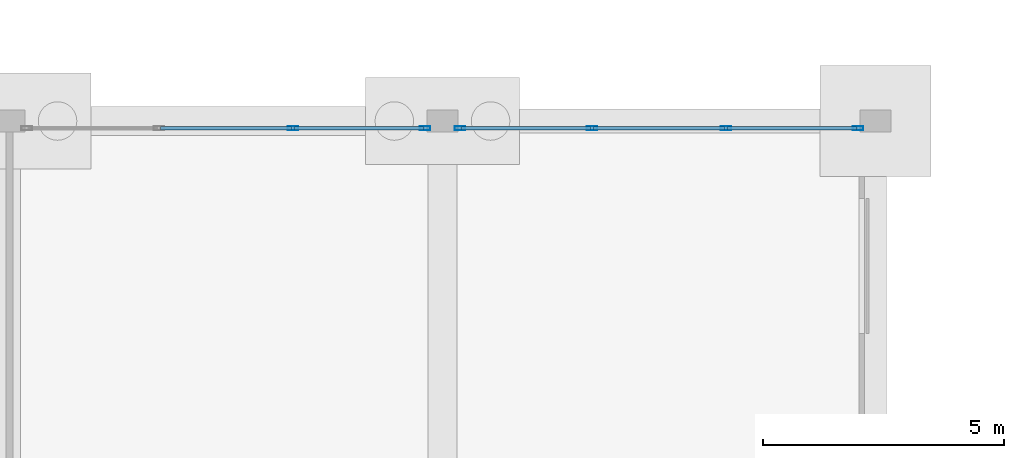
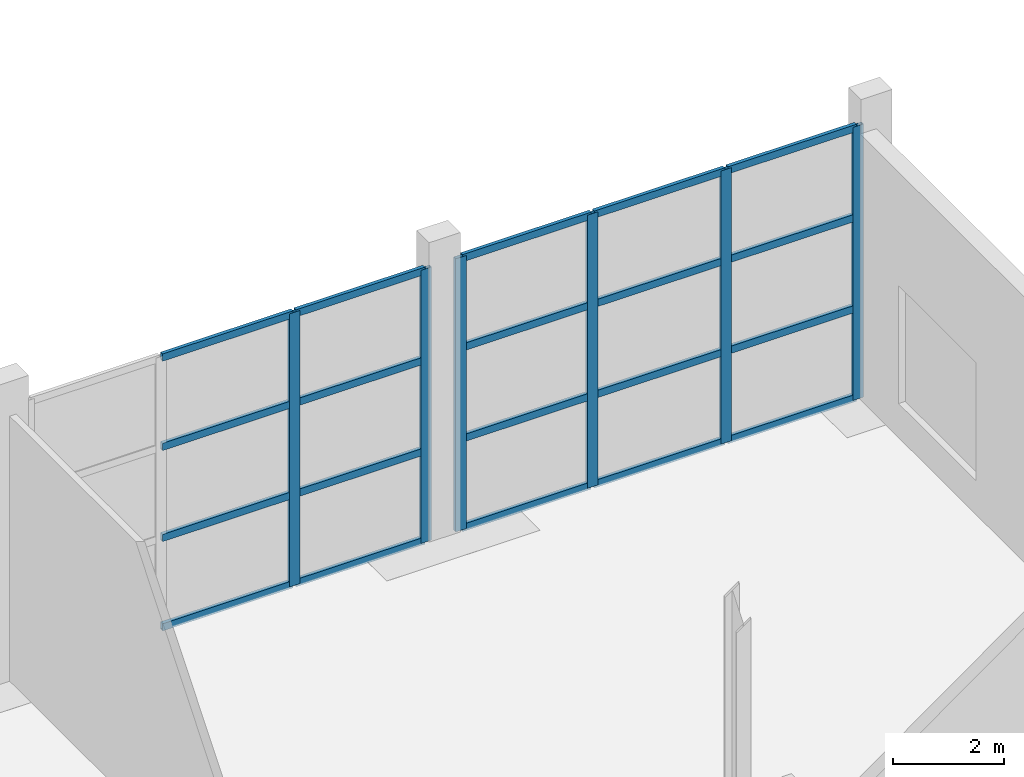
# One storey, part 57 of 115: 26 members, 2 elements without a shape of their own.
"""IFC4 building model written with IfcOpenShell, lengths in metres."""

from ifc_helpers import new_model, si_unit, direction, frame, origin, origin_2d, place, context, subcontext, project, spatial, hollow_rectangle, extrude, material, layer, layer_set, material_profile, profile_set, type_object, element, aggregate, save


model = new_model("IFC4")

# Units and contexts
model_context = context("Model", 3, precision=1e-05, world=origin(), true_north=direction((0.0, 1.0)))
body_context = subcontext(model_context, "Body", "Model", "MODEL_VIEW")
ifc_project = project(units=[si_unit("LENGTHUNIT", "METRE"), si_unit("AREAUNIT", "SQUARE_METRE"), si_unit("VOLUMEUNIT", "CUBIC_METRE"), si_unit("PLANEANGLEUNIT", "RADIAN"), si_unit("MASSUNIT", "GRAM", prefix="KILO")], contexts=[model_context])

# Site, building, storey
site_placement = place(None, origin())
site = spatial("IfcSite", under=ifc_project, at=site_placement, CompositionType="ELEMENT")
building_placement = place(site_placement, origin())
building = spatial("IfcBuilding", under=site, at=building_placement, Name="Tamarisk Ironworks Central Station", CompositionType="ELEMENT")
storey_placement = place(building_placement, origin())
storey = spatial("IfcBuildingStorey", under=building, at=storey_placement, Name="L00", CompositionType="ELEMENT", Elevation=0.0)

# Curtain wall, members
ifc_material = material(Name="Anodized aluminium alloy 6063-T6", Category="aluminium")
ifc_layer = layer(ifc_material, 0.179931640625)
ifc_layer_set = layer_set([ifc_layer], Name="Anodized aluminium alloy 6063-T6")
curtain_wall_type = type_object("IfcCurtainWallType", Name="CW-12", PredefinedType="USERDEFINED", material=ifc_layer_set)
curtain_wall_1_placement = place(storey_placement, origin())
curtain_wall_1 = element("IfcCurtainWall", 1, at=curtain_wall_1_placement, inside=storey, type_object=curtain_wall_type, Name="Pavilion L00 N glazed arcade 27", ObjectType="GLAZED CURTAIN WALL", PredefinedType="USERDEFINED")
ifc_material_profile_1 = material_profile(ifc_material, hollow_rectangle(XDim=0.074951171875, YDim=0.219970703125, WallThickness=0.00390625, at=origin_2d()), Name="ALUM 220x75")
ifc_profile_set_1 = profile_set([ifc_material_profile_1], Name="Anodized aluminium alloy 6063-T6")
member_type_1 = type_object("IfcMemberType", Name="CWM-01", PredefinedType="MULLION", material=ifc_profile_set_1)
member_1_placement = place(storey_placement, frame((32.892333984375, 122.25, 0.0), z_axis=(0.0, 0.0, 1.0), x_axis=(0.0, 1.0, 0.0)))
member_1 = element("IfcMember", 2, at=member_1_placement, type_object=member_type_1, Name="CW12 mullion 3", PredefinedType="MULLION", context=body_context, shape_type="SweptSolid", body=[
    extrude(hollow_rectangle(XDim=0.074951171875, YDim=0.219970703125, WallThickness=0.00390625, at=origin_2d()), origin(), (0.0, 0.0, 1.0), 6.02001953125),
])
member_2_placement = place(storey_placement, frame((35.639404296875, 122.25, 0.0), z_axis=(0.0, 0.0, 1.0), x_axis=(0.0, 1.0, 0.0)))
member_2 = element("IfcMember", 3, at=member_2_placement, type_object=member_type_1, Name="CW12 mullion 4", PredefinedType="MULLION", context=body_context, shape_type="SweptSolid", body=[
    extrude(hollow_rectangle(XDim=0.074951171875, YDim=0.219970703125, WallThickness=0.00390625, at=origin_2d()), origin(), (0.0, 0.0, 1.0), 6.02001953125),
])

curtain_wall_2_placement = place(storey_placement, origin())
curtain_wall_2 = element("IfcCurtainWall", 4, at=curtain_wall_2_placement, inside=storey, type_object=curtain_wall_type, Name="Pavilion L00 N glazed arcade 36", ObjectType="GLAZED CURTAIN WALL", PredefinedType="USERDEFINED")
member_3_placement = place(storey_placement, frame((36.360595703125, 122.25, 0.0), z_axis=(0.0, 0.0, 1.0), x_axis=(0.0, 1.0, 0.0)))
member_3 = element("IfcMember", 5, at=member_3_placement, type_object=member_type_1, Name="CW12 mullion 1", PredefinedType="MULLION", context=body_context, shape_type="SweptSolid", body=[
    extrude(hollow_rectangle(XDim=0.074951171875, YDim=0.219970703125, WallThickness=0.00390625, at=origin_2d()), origin(), (0.0, 0.0, 1.0), 6.02001953125),
])
member_4_placement = place(storey_placement, frame((39.107666015625, 122.25, 0.0), z_axis=(0.0, 0.0, 1.0), x_axis=(0.0, 1.0, 0.0)))
member_4 = element("IfcMember", 6, at=member_4_placement, type_object=member_type_1, Name="CW12 mullion 2", PredefinedType="MULLION", context=body_context, shape_type="SweptSolid", body=[
    extrude(hollow_rectangle(XDim=0.074951171875, YDim=0.219970703125, WallThickness=0.00390625, at=origin_2d()), origin(), (0.0, 0.0, 1.0), 6.02001953125),
])
member_5_placement = place(storey_placement, frame((41.892333984375, 122.25, 0.0), z_axis=(0.0, 0.0, 1.0), x_axis=(0.0, 1.0, 0.0)))
member_5 = element("IfcMember", 7, at=member_5_placement, type_object=member_type_1, Name="CW12 mullion 3", PredefinedType="MULLION", context=body_context, shape_type="SweptSolid", body=[
    extrude(hollow_rectangle(XDim=0.074951171875, YDim=0.219970703125, WallThickness=0.00390625, at=origin_2d()), origin(), (0.0, 0.0, 1.0), 6.02001953125),
])
member_6_placement = place(storey_placement, frame((44.639404296875, 122.25, 0.0), z_axis=(0.0, 0.0, 1.0), x_axis=(0.0, 1.0, 0.0)))
member_6 = element("IfcMember", 8, at=member_6_placement, type_object=member_type_1, Name="CW12 mullion 4", PredefinedType="MULLION", context=body_context, shape_type="SweptSolid", body=[
    extrude(hollow_rectangle(XDim=0.074951171875, YDim=0.219970703125, WallThickness=0.00390625, at=origin_2d()), origin(), (0.0, 0.0, 1.0), 6.02001953125),
])

# Member
ifc_material_profile_2 = material_profile(ifc_material, hollow_rectangle(XDim=0.074951171875, YDim=0.159912109375, WallThickness=0.00390625, at=origin_2d()), Name="ALUM 160x75")
ifc_profile_set_2 = profile_set([ifc_material_profile_2], Name="Anodized aluminium alloy 6063-T6")
member_type_2 = type_object("IfcMemberType", Name="CWT-01", PredefinedType="USERDEFINED", material=ifc_profile_set_2)
member_7_placement = place(storey_placement, frame((30.14111328125, 122.25, 0.03759765625), z_axis=(1.0, 0.0, 0.0), x_axis=(0.0, 1.0, 0.0)))
member_7 = element("IfcMember", 9, at=member_7_placement, type_object=member_type_2, Name="CW12 transom 2.1", ObjectType="TRANSOM", PredefinedType="USERDEFINED", context=body_context, shape_type="SweptSolid", body=[
    extrude(hollow_rectangle(XDim=0.074951171875, YDim=0.159912109375, WallThickness=0.00390625, at=origin_2d()), origin(), (0.0, 0.0, 1.0), 2.7177734375),
])

member_8_placement = place(storey_placement, frame((30.14111328125, 122.25, 2.006591796875), z_axis=(1.0, 0.0, 0.0), x_axis=(0.0, 1.0, 0.0)))
member_8 = element("IfcMember", 10, at=member_8_placement, type_object=member_type_2, Name="CW12 transom 2.2", ObjectType="TRANSOM", PredefinedType="USERDEFINED", context=body_context, shape_type="SweptSolid", body=[
    extrude(hollow_rectangle(XDim=0.074951171875, YDim=0.159912109375, WallThickness=0.00390625, at=origin_2d()), origin(), (0.0, 0.0, 1.0), 2.7177734375),
])

member_9_placement = place(storey_placement, frame((30.14111328125, 122.25, 4.01318359375), z_axis=(1.0, 0.0, 0.0), x_axis=(0.0, 1.0, 0.0)))
member_9 = element("IfcMember", 11, at=member_9_placement, type_object=member_type_2, Name="CW12 transom 2.3", ObjectType="TRANSOM", PredefinedType="USERDEFINED", context=body_context, shape_type="SweptSolid", body=[
    extrude(hollow_rectangle(XDim=0.074951171875, YDim=0.159912109375, WallThickness=0.00390625, at=origin_2d()), origin(), (0.0, 0.0, 1.0), 2.7177734375),
])

member_10_placement = place(storey_placement, frame((30.14111328125, 122.25, 5.982421875), z_axis=(1.0, 0.0, 0.0), x_axis=(0.0, 1.0, 0.0)))
member_10 = element("IfcMember", 12, at=member_10_placement, type_object=member_type_2, Name="CW12 transom 2.4", ObjectType="TRANSOM", PredefinedType="USERDEFINED", context=body_context, shape_type="SweptSolid", body=[
    extrude(hollow_rectangle(XDim=0.074951171875, YDim=0.159912109375, WallThickness=0.00390625, at=origin_2d()), origin(), (0.0, 0.0, 1.0), 2.7177734375),
])

member_11_placement = place(storey_placement, frame((32.92578125, 122.25, 0.03759765625), z_axis=(1.0, 0.0, 0.0), x_axis=(0.0, 1.0, 0.0)))
member_11 = element("IfcMember", 13, at=member_11_placement, type_object=member_type_2, Name="CW12 transom 3.1", ObjectType="TRANSOM", PredefinedType="USERDEFINED", context=body_context, shape_type="SweptSolid", body=[
    extrude(hollow_rectangle(XDim=0.074951171875, YDim=0.159912109375, WallThickness=0.00390625, at=origin_2d()), origin(), (0.0, 0.0, 1.0), 2.68017578125),
])

member_12_placement = place(storey_placement, frame((32.92578125, 122.25, 2.006591796875), z_axis=(1.0, 0.0, 0.0), x_axis=(0.0, 1.0, 0.0)))
member_12 = element("IfcMember", 14, at=member_12_placement, type_object=member_type_2, Name="CW12 transom 3.2", ObjectType="TRANSOM", PredefinedType="USERDEFINED", context=body_context, shape_type="SweptSolid", body=[
    extrude(hollow_rectangle(XDim=0.074951171875, YDim=0.159912109375, WallThickness=0.00390625, at=origin_2d()), origin(), (0.0, 0.0, 1.0), 2.68017578125),
])

member_13_placement = place(storey_placement, frame((32.92578125, 122.25, 4.01318359375), z_axis=(1.0, 0.0, 0.0), x_axis=(0.0, 1.0, 0.0)))
member_13 = element("IfcMember", 15, at=member_13_placement, type_object=member_type_2, Name="CW12 transom 3.3", ObjectType="TRANSOM", PredefinedType="USERDEFINED", context=body_context, shape_type="SweptSolid", body=[
    extrude(hollow_rectangle(XDim=0.074951171875, YDim=0.159912109375, WallThickness=0.00390625, at=origin_2d()), origin(), (0.0, 0.0, 1.0), 2.68017578125),
])

member_14_placement = place(storey_placement, frame((32.92578125, 122.25, 5.982421875), z_axis=(1.0, 0.0, 0.0), x_axis=(0.0, 1.0, 0.0)))
member_14 = element("IfcMember", 16, at=member_14_placement, type_object=member_type_2, Name="CW12 transom 3.4", ObjectType="TRANSOM", PredefinedType="USERDEFINED", context=body_context, shape_type="SweptSolid", body=[
    extrude(hollow_rectangle(XDim=0.074951171875, YDim=0.159912109375, WallThickness=0.00390625, at=origin_2d()), origin(), (0.0, 0.0, 1.0), 2.68017578125),
])

aggregate(curtain_wall_1, [member_1, member_2, member_7, member_8, member_9, member_10, member_11, member_12, member_13, member_14])

member_15_placement = place(storey_placement, frame((36.39404296875, 122.25, 0.03759765625), z_axis=(1.0, 0.0, 0.0), x_axis=(0.0, 1.0, 0.0)))
member_15 = element("IfcMember", 17, at=member_15_placement, type_object=member_type_2, Name="CW12 transom 1.1", ObjectType="TRANSOM", PredefinedType="USERDEFINED", context=body_context, shape_type="SweptSolid", body=[
    extrude(hollow_rectangle(XDim=0.074951171875, YDim=0.159912109375, WallThickness=0.00390625, at=origin_2d()), origin(), (0.0, 0.0, 1.0), 2.68017578125),
])

member_16_placement = place(storey_placement, frame((36.39404296875, 122.25, 2.006591796875), z_axis=(1.0, 0.0, 0.0), x_axis=(0.0, 1.0, 0.0)))
member_16 = element("IfcMember", 18, at=member_16_placement, type_object=member_type_2, Name="CW12 transom 1.2", ObjectType="TRANSOM", PredefinedType="USERDEFINED", context=body_context, shape_type="SweptSolid", body=[
    extrude(hollow_rectangle(XDim=0.074951171875, YDim=0.159912109375, WallThickness=0.00390625, at=origin_2d()), origin(), (0.0, 0.0, 1.0), 2.68017578125),
])

member_17_placement = place(storey_placement, frame((36.39404296875, 122.25, 4.01318359375), z_axis=(1.0, 0.0, 0.0), x_axis=(0.0, 1.0, 0.0)))
member_17 = element("IfcMember", 19, at=member_17_placement, type_object=member_type_2, Name="CW12 transom 1.3", ObjectType="TRANSOM", PredefinedType="USERDEFINED", context=body_context, shape_type="SweptSolid", body=[
    extrude(hollow_rectangle(XDim=0.074951171875, YDim=0.159912109375, WallThickness=0.00390625, at=origin_2d()), origin(), (0.0, 0.0, 1.0), 2.68017578125),
])

member_18_placement = place(storey_placement, frame((36.39404296875, 122.25, 5.982421875), z_axis=(1.0, 0.0, 0.0), x_axis=(0.0, 1.0, 0.0)))
member_18 = element("IfcMember", 20, at=member_18_placement, type_object=member_type_2, Name="CW12 transom 1.4", ObjectType="TRANSOM", PredefinedType="USERDEFINED", context=body_context, shape_type="SweptSolid", body=[
    extrude(hollow_rectangle(XDim=0.074951171875, YDim=0.159912109375, WallThickness=0.00390625, at=origin_2d()), origin(), (0.0, 0.0, 1.0), 2.68017578125),
])

member_19_placement = place(storey_placement, frame((39.14111328125, 122.25, 0.03759765625), z_axis=(1.0, 0.0, 0.0), x_axis=(0.0, 1.0, 0.0)))
member_19 = element("IfcMember", 21, at=member_19_placement, type_object=member_type_2, Name="CW12 transom 2.1", ObjectType="TRANSOM", PredefinedType="USERDEFINED", context=body_context, shape_type="SweptSolid", body=[
    extrude(hollow_rectangle(XDim=0.074951171875, YDim=0.159912109375, WallThickness=0.00390625, at=origin_2d()), origin(), (0.0, 0.0, 1.0), 2.7177734375),
])

member_20_placement = place(storey_placement, frame((39.14111328125, 122.25, 2.006591796875), z_axis=(1.0, 0.0, 0.0), x_axis=(0.0, 1.0, 0.0)))
member_20 = element("IfcMember", 22, at=member_20_placement, type_object=member_type_2, Name="CW12 transom 2.2", ObjectType="TRANSOM", PredefinedType="USERDEFINED", context=body_context, shape_type="SweptSolid", body=[
    extrude(hollow_rectangle(XDim=0.074951171875, YDim=0.159912109375, WallThickness=0.00390625, at=origin_2d()), origin(), (0.0, 0.0, 1.0), 2.7177734375),
])

member_21_placement = place(storey_placement, frame((39.14111328125, 122.25, 4.01318359375), z_axis=(1.0, 0.0, 0.0), x_axis=(0.0, 1.0, 0.0)))
member_21 = element("IfcMember", 23, at=member_21_placement, type_object=member_type_2, Name="CW12 transom 2.3", ObjectType="TRANSOM", PredefinedType="USERDEFINED", context=body_context, shape_type="SweptSolid", body=[
    extrude(hollow_rectangle(XDim=0.074951171875, YDim=0.159912109375, WallThickness=0.00390625, at=origin_2d()), origin(), (0.0, 0.0, 1.0), 2.7177734375),
])

member_22_placement = place(storey_placement, frame((39.14111328125, 122.25, 5.982421875), z_axis=(1.0, 0.0, 0.0), x_axis=(0.0, 1.0, 0.0)))
member_22 = element("IfcMember", 24, at=member_22_placement, type_object=member_type_2, Name="CW12 transom 2.4", ObjectType="TRANSOM", PredefinedType="USERDEFINED", context=body_context, shape_type="SweptSolid", body=[
    extrude(hollow_rectangle(XDim=0.074951171875, YDim=0.159912109375, WallThickness=0.00390625, at=origin_2d()), origin(), (0.0, 0.0, 1.0), 2.7177734375),
])

member_23_placement = place(storey_placement, frame((41.92578125, 122.25, 0.03759765625), z_axis=(1.0, 0.0, 0.0), x_axis=(0.0, 1.0, 0.0)))
member_23 = element("IfcMember", 25, at=member_23_placement, type_object=member_type_2, Name="CW12 transom 3.1", ObjectType="TRANSOM", PredefinedType="USERDEFINED", context=body_context, shape_type="SweptSolid", body=[
    extrude(hollow_rectangle(XDim=0.074951171875, YDim=0.159912109375, WallThickness=0.00390625, at=origin_2d()), origin(), (0.0, 0.0, 1.0), 2.68017578125),
])

member_24_placement = place(storey_placement, frame((41.92578125, 122.25, 2.006591796875), z_axis=(1.0, 0.0, 0.0), x_axis=(0.0, 1.0, 0.0)))
member_24 = element("IfcMember", 26, at=member_24_placement, type_object=member_type_2, Name="CW12 transom 3.2", ObjectType="TRANSOM", PredefinedType="USERDEFINED", context=body_context, shape_type="SweptSolid", body=[
    extrude(hollow_rectangle(XDim=0.074951171875, YDim=0.159912109375, WallThickness=0.00390625, at=origin_2d()), origin(), (0.0, 0.0, 1.0), 2.68017578125),
])

member_25_placement = place(storey_placement, frame((41.92578125, 122.25, 4.01318359375), z_axis=(1.0, 0.0, 0.0), x_axis=(0.0, 1.0, 0.0)))
member_25 = element("IfcMember", 27, at=member_25_placement, type_object=member_type_2, Name="CW12 transom 3.3", ObjectType="TRANSOM", PredefinedType="USERDEFINED", context=body_context, shape_type="SweptSolid", body=[
    extrude(hollow_rectangle(XDim=0.074951171875, YDim=0.159912109375, WallThickness=0.00390625, at=origin_2d()), origin(), (0.0, 0.0, 1.0), 2.68017578125),
])

member_26_placement = place(storey_placement, frame((41.92578125, 122.25, 5.982421875), z_axis=(1.0, 0.0, 0.0), x_axis=(0.0, 1.0, 0.0)))
member_26 = element("IfcMember", 28, at=member_26_placement, type_object=member_type_2, Name="CW12 transom 3.4", ObjectType="TRANSOM", PredefinedType="USERDEFINED", context=body_context, shape_type="SweptSolid", body=[
    extrude(hollow_rectangle(XDim=0.074951171875, YDim=0.159912109375, WallThickness=0.00390625, at=origin_2d()), origin(), (0.0, 0.0, 1.0), 2.68017578125),
])

aggregate(curtain_wall_2, [member_3, member_4, member_5, member_6, member_15, member_16, member_17, member_18, member_19, member_20, member_21, member_22, member_23, member_24, member_25, member_26])

save(model, "model.ifc")
